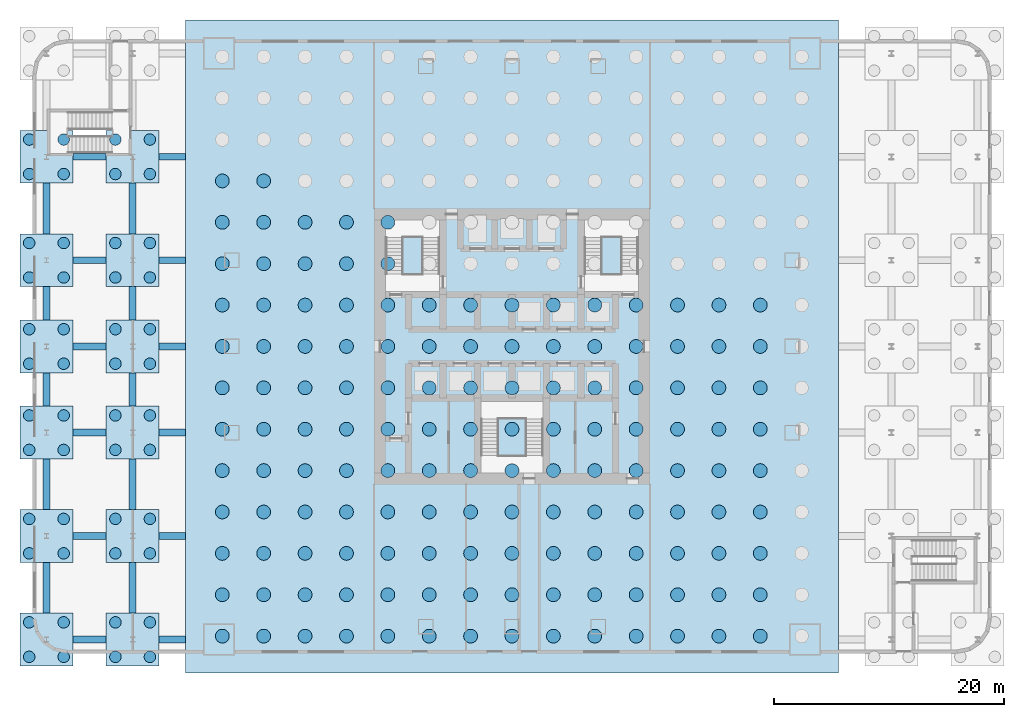
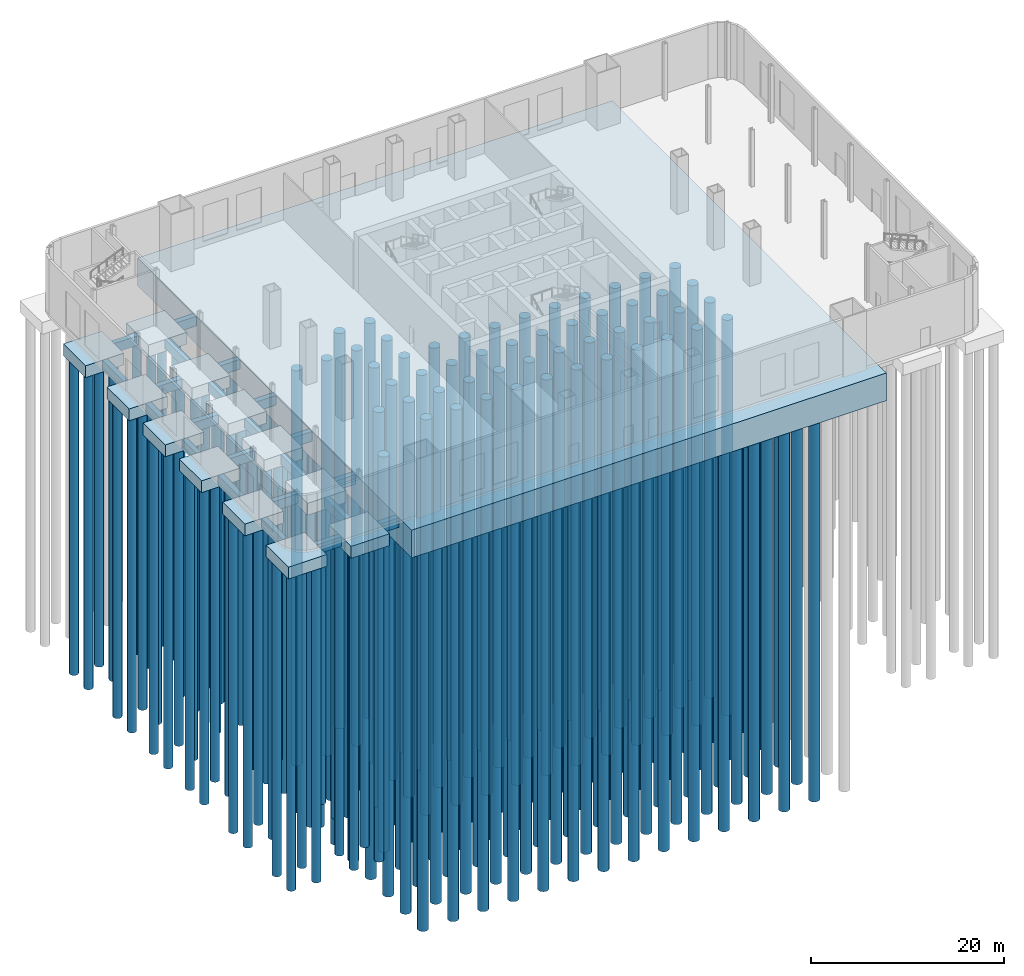
# One storey, part 1 of 10: 186 piles, 35 footings.
"""IFC4 building model written with IfcOpenShell, lengths in metres."""

from ifc_helpers import new_model, si_unit, direction, frame, origin, origin_2d, place, context, subcontext, project, spatial, polyline, rectangle, circle, outline, extrude, material, layer, layer_set, material_profile, profile_set, type_object, element, save


model = new_model("IFC4")

# Units and contexts
model_context = context("Model", 3, precision=1e-05, world=origin(), true_north=direction((0.0, 1.0)))
body_context = subcontext(model_context, "Body", "Model", "MODEL_VIEW")
ifc_project = project(units=[si_unit("LENGTHUNIT", "METRE"), si_unit("AREAUNIT", "SQUARE_METRE"), si_unit("VOLUMEUNIT", "CUBIC_METRE"), si_unit("PLANEANGLEUNIT", "RADIAN"), si_unit("MASSUNIT", "GRAM", prefix="KILO")], contexts=[model_context])

# Site, building, storey
site_placement = place(None, origin())
site = spatial("IfcSite", under=ifc_project, at=site_placement, CompositionType="ELEMENT")
building_placement = place(site_placement, origin())
building = spatial("IfcBuilding", under=site, at=building_placement, Name="Tarangal Relay Tower", CompositionType="ELEMENT")
storey_placement = place(building_placement, origin())
storey = spatial("IfcBuildingStorey", under=building, at=storey_placement, Name="L00", CompositionType="ELEMENT", Elevation=0.0)

# Piles
ifc_material = material(Name="Concrete fc' 40 MPa", Category="concrete")
ifc_material_profile_1 = material_profile(ifc_material, circle(Radius=0.5, at=origin_2d()), Name="D1000")
ifc_profile_set_1 = profile_set([ifc_material_profile_1], Name="Concrete fc' 40 MPa")
pile_type_1 = type_object("IfcPileType", Name="Bored pile 1000", PredefinedType="BORED", material=ifc_profile_set_1)
for number, where, z_axis, x_axis, name in (
    (1, (-34.5, -27.0, -1.699951171875), (0.0, 0.0, -1.0), (1.0, 0.0, 0.0), "Bored pile P2 under cap -33.0 -25.5"),
    (2, (-34.5, -24.0, -1.699951171875), (0.0, 0.0, -1.0), (1.0, 0.0, 0.0), "Bored pile P2 under cap -33.0 -25.5"),
    (3, (-31.5, -27.0, -1.699951171875), (0.0, 0.0, -1.0), (1.0, 0.0, 0.0), "Bored pile P2 under cap -33.0 -25.5"),
    (4, (-31.5, -24.0, -1.699951171875), (0.0, 0.0, -1.0), (1.0, 0.0, 0.0), "Bored pile P2 under cap -33.0 -25.5"),
    (5, (-34.5, -18.0, -1.699951171875), (0.0, 0.0, -1.0), (1.0, 0.0, 0.0), "Bored pile P2 under cap -33.0 -16.5"),
    (6, (-34.5, -15.0, -1.699951171875), (0.0, 0.0, -1.0), (1.0, 0.0, 0.0), "Bored pile P2 under cap -33.0 -16.5"),
    (7, (-31.5, -18.0, -1.699951171875), (0.0, 0.0, -1.0), (1.0, 0.0, 0.0), "Bored pile P2 under cap -33.0 -16.5"),
    (8, (-31.5, -15.0, -1.699951171875), (0.0, 0.0, -1.0), (1.0, 0.0, 0.0), "Bored pile P2 under cap -33.0 -16.5"),
    (9, (-34.5, -9.0, -1.699951171875), (0.0, 0.0, -1.0), (1.0, 0.0, 0.0), "Bored pile P2 under cap -33.0 -7.5"),
    (10, (-34.5, -6.0, -1.699951171875), (0.0, 0.0, -1.0), (1.0, 0.0, 0.0), "Bored pile P2 under cap -33.0 -7.5"),
    (11, (-31.5, -9.0, -1.699951171875), (0.0, 0.0, -1.0), (1.0, 0.0, 0.0), "Bored pile P2 under cap -33.0 -7.5"),
    (12, (-31.5, -6.0, -1.699951171875), (0.0, 0.0, -1.0), (1.0, 0.0, 0.0), "Bored pile P2 under cap -33.0 -7.5"),
    (13, (-34.5, -1.5, -1.699951171875), (0.0, 0.0, -1.0), (1.0, 0.0, 0.0), "Bored pile P2 under cap -33.0 +0.0"),
    (14, (-34.5, 1.5, -1.699951171875), (0.0, 0.0, -1.0), (1.0, 0.0, 0.0), "Bored pile P2 under cap -33.0 +0.0"),
    (15, (-31.5, -1.5, -1.699951171875), (0.0, 0.0, -1.0), (1.0, 0.0, 0.0), "Bored pile P2 under cap -33.0 +0.0"),
    (16, (-31.5, 1.5, -1.699951171875), (0.0, 0.0, -1.0), (1.0, 0.0, 0.0), "Bored pile P2 under cap -33.0 +0.0"),
    (17, (-34.5, 6.0, -1.699951171875), (0.0, 0.0, -1.0), (1.0, 0.0, 0.0), "Bored pile P2 under cap -33.0 +7.5"),
    (18, (-34.5, 9.0, -1.699951171875), (0.0, 0.0, -1.0), (1.0, 0.0, 0.0), "Bored pile P2 under cap -33.0 +7.5"),
    (19, (-31.5, 6.0, -1.699951171875), (0.0, 0.0, -1.0), (1.0, 0.0, 0.0), "Bored pile P2 under cap -33.0 +7.5"),
    (20, (-31.5, 9.0, -1.699951171875), (0.0, 0.0, -1.0), (1.0, 0.0, 0.0), "Bored pile P2 under cap -33.0 +7.5"),
    (21, (-34.5, 15.0, -1.699951171875), (0.0, 0.0, -1.0), (1.0, 0.0, 0.0), "Bored pile P2 under cap -33.0 +16.5"),
    (22, (-34.5, 18.0, -1.699951171875), (0.0, 0.0, -1.0), (1.0, 0.0, 0.0), "Bored pile P2 under cap -33.0 +16.5"),
    (23, (-31.5, 15.0, -1.699951171875), (0.0, 0.0, -1.0), (1.0, 0.0, 0.0), "Bored pile P2 under cap -33.0 +16.5"),
    (24, (-31.5, 18.0, -1.699951171875), (0.0, 0.0, -1.0), (1.0, 0.0, 0.0), "Bored pile P2 under cap -33.0 +16.5"),
    (25, (-42.0, -27.0, -1.699951171875), (0.0, 0.0, -1.0), (1.0, 0.0, 0.0), "Bored pile P2 under cap -40.5 -25.5"),
    (26, (-42.0, -24.0, -1.699951171875), (0.0, 0.0, -1.0), (1.0, 0.0, 0.0), "Bored pile P2 under cap -40.5 -25.5"),
    (27, (-39.0, -27.0, -1.699951171875), (0.0, 0.0, -1.0), (1.0, 0.0, 0.0), "Bored pile P2 under cap -40.5 -25.5"),
    (28, (-39.0, -24.0, -1.699951171875), (0.0, 0.0, -1.0), (1.0, 0.0, 0.0), "Bored pile P2 under cap -40.5 -25.5"),
    (29, (-42.0, -18.0, -1.699951171875), (0.0, 0.0, -1.0), (1.0, 0.0, 0.0), "Bored pile P2 under cap -40.5 -16.5"),
    (30, (-42.0, -15.0, -1.699951171875), (0.0, 0.0, -1.0), (1.0, 0.0, 0.0), "Bored pile P2 under cap -40.5 -16.5"),
    (31, (-39.0, -18.0, -1.699951171875), (0.0, 0.0, -1.0), (1.0, 0.0, 0.0), "Bored pile P2 under cap -40.5 -16.5"),
    (32, (-39.0, -15.0, -1.699951171875), (0.0, 0.0, -1.0), (1.0, 0.0, 0.0), "Bored pile P2 under cap -40.5 -16.5"),
    (33, (-42.0, -9.0, -1.699951171875), (0.0, 0.0, -1.0), (1.0, 0.0, 0.0), "Bored pile P2 under cap -40.5 -7.5"),
    (34, (-42.0, -6.0, -1.699951171875), (0.0, 0.0, -1.0), (1.0, 0.0, 0.0), "Bored pile P2 under cap -40.5 -7.5"),
    (35, (-39.0, -9.0, -1.699951171875), (0.0, 0.0, -1.0), (1.0, 0.0, 0.0), "Bored pile P2 under cap -40.5 -7.5"),
    (36, (-39.0, -6.0, -1.699951171875), (0.0, 0.0, -1.0), (1.0, 0.0, 0.0), "Bored pile P2 under cap -40.5 -7.5"),
    (37, (-42.0, -1.5, -1.699951171875), (0.0, 0.0, -1.0), (1.0, 0.0, 0.0), "Bored pile P2 under cap -40.5 +0.0"),
    (38, (-42.0, 1.5, -1.699951171875), (0.0, 0.0, -1.0), (1.0, 0.0, 0.0), "Bored pile P2 under cap -40.5 +0.0"),
    (39, (-39.0, -1.5, -1.699951171875), (0.0, 0.0, -1.0), (1.0, 0.0, 0.0), "Bored pile P2 under cap -40.5 +0.0"),
    (40, (-39.0, 1.5, -1.699951171875), (0.0, 0.0, -1.0), (1.0, 0.0, 0.0), "Bored pile P2 under cap -40.5 +0.0"),
    (41, (-42.0, 6.0, -1.699951171875), (0.0, 0.0, -1.0), (1.0, 0.0, 0.0), "Bored pile P2 under cap -40.5 +7.5"),
    (42, (-42.0, 9.0, -1.699951171875), (0.0, 0.0, -1.0), (1.0, 0.0, 0.0), "Bored pile P2 under cap -40.5 +7.5"),
    (43, (-39.0, 6.0, -1.699951171875), (0.0, 0.0, -1.0), (1.0, 0.0, 0.0), "Bored pile P2 under cap -40.5 +7.5"),
    (44, (-39.0, 9.0, -1.699951171875), (0.0, 0.0, -1.0), (1.0, 0.0, 0.0), "Bored pile P2 under cap -40.5 +7.5"),
    (45, (-42.0, 15.0, -1.699951171875), (0.0, 0.0, -1.0), (1.0, 0.0, 0.0), "Bored pile P2 under cap -40.5 +16.5"),
    (46, (-42.0, 18.0, -1.699951171875), (0.0, 0.0, -1.0), (1.0, 0.0, 0.0), "Bored pile P2 under cap -40.5 +16.5"),
    (47, (-39.0, 15.0, -1.699951171875), (0.0, 0.0, -1.0), (1.0, 0.0, 0.0), "Bored pile P2 under cap -40.5 +16.5"),
    (48, (-39.0, 18.0, -1.699951171875), (0.0, 0.0, -1.0), (1.0, 0.0, 0.0), "Bored pile P2 under cap -40.5 +16.5"),
):
    element("IfcPile", number, at=place(storey_placement, frame(where, z_axis=z_axis, x_axis=x_axis)), inside=storey, type_object=pile_type_1, Name=name, PredefinedType="BORED", context=body_context, shape_type="SweptSolid", body=[
        extrude(circle(Radius=0.5, at=origin_2d()), origin(), (0.0, 0.0, 1.0), 40.0),
    ])
ifc_material_profile_2 = material_profile(ifc_material, circle(Radius=0.60009765625, at=origin_2d()), Name="D1200")
ifc_profile_set_2 = profile_set([ifc_material_profile_2], Name="Concrete fc' 40 MPa")
pile_type_2 = type_object("IfcPileType", Name="Bored pile 1200", PredefinedType="BORED", material=ifc_profile_set_2)
for number, where, z_axis, x_axis, name in (
    (49, (-25.199951171875, -25.199951171875, -3.699951171875), (0.0, 0.0, -1.0), (1.0, 0.0, 0.0), "Bored pile P1 01-01"),
    (50, (-25.199951171875, -21.60009765625, -3.699951171875), (0.0, 0.0, -1.0), (1.0, 0.0, 0.0), "Bored pile P1 01-02"),
    (51, (-25.199951171875, -18.0, -3.699951171875), (0.0, 0.0, -1.0), (1.0, 0.0, 0.0), "Bored pile P1 01-03"),
    (52, (-25.199951171875, -14.39990234375, -3.699951171875), (0.0, 0.0, -1.0), (1.0, 0.0, 0.0), "Bored pile P1 01-04"),
    (53, (-25.199951171875, -10.800048828125, -3.699951171875), (0.0, 0.0, -1.0), (1.0, 0.0, 0.0), "Bored pile P1 01-05"),
    (54, (-25.199951171875, -7.199951171875, -3.699951171875), (0.0, 0.0, -1.0), (1.0, 0.0, 0.0), "Bored pile P1 01-06"),
    (55, (-25.199951171875, -3.60009765625, -3.699951171875), (0.0, 0.0, -1.0), (1.0, 0.0, 0.0), "Bored pile P1 01-07"),
    (56, (-25.199951171875, 0.0, -3.699951171875), (0.0, 0.0, -1.0), (1.0, 0.0, 0.0), "Bored pile P1 01-08"),
    (57, (-25.199951171875, 3.60009765625, -3.699951171875), (0.0, 0.0, -1.0), (1.0, 0.0, 0.0), "Bored pile P1 01-09"),
    (58, (-25.199951171875, 7.199951171875, -3.699951171875), (0.0, 0.0, -1.0), (1.0, 0.0, 0.0), "Bored pile P1 01-10"),
    (59, (-25.199951171875, 10.800048828125, -3.699951171875), (0.0, 0.0, -1.0), (1.0, 0.0, 0.0), "Bored pile P1 01-11"),
    (60, (-25.199951171875, 14.39990234375, -3.699951171875), (0.0, 0.0, -1.0), (1.0, 0.0, 0.0), "Bored pile P1 01-12"),
    (61, (-21.60009765625, -25.199951171875, -3.699951171875), (0.0, 0.0, -1.0), (1.0, 0.0, 0.0), "Bored pile P1 02-01"),
    (62, (-21.60009765625, -21.60009765625, -3.699951171875), (0.0, 0.0, -1.0), (1.0, 0.0, 0.0), "Bored pile P1 02-02"),
    (63, (-21.60009765625, -18.0, -3.699951171875), (0.0, 0.0, -1.0), (1.0, 0.0, 0.0), "Bored pile P1 02-03"),
    (64, (-21.60009765625, -14.39990234375, -3.699951171875), (0.0, 0.0, -1.0), (1.0, 0.0, 0.0), "Bored pile P1 02-04"),
    (65, (-21.60009765625, -10.800048828125, -3.699951171875), (0.0, 0.0, -1.0), (1.0, 0.0, 0.0), "Bored pile P1 02-05"),
    (66, (-21.60009765625, -7.199951171875, -3.699951171875), (0.0, 0.0, -1.0), (1.0, 0.0, 0.0), "Bored pile P1 02-06"),
    (67, (-21.60009765625, -3.60009765625, -3.699951171875), (0.0, 0.0, -1.0), (1.0, 0.0, 0.0), "Bored pile P1 02-07"),
    (68, (-21.60009765625, 0.0, -3.699951171875), (0.0, 0.0, -1.0), (1.0, 0.0, 0.0), "Bored pile P1 02-08"),
    (69, (-21.60009765625, 3.60009765625, -3.699951171875), (0.0, 0.0, -1.0), (1.0, 0.0, 0.0), "Bored pile P1 02-09"),
    (70, (-21.60009765625, 7.199951171875, -3.699951171875), (0.0, 0.0, -1.0), (1.0, 0.0, 0.0), "Bored pile P1 02-10"),
    (71, (-21.60009765625, 10.800048828125, -3.699951171875), (0.0, 0.0, -1.0), (1.0, 0.0, 0.0), "Bored pile P1 02-11"),
    (72, (-21.60009765625, 14.39990234375, -3.699951171875), (0.0, 0.0, -1.0), (1.0, 0.0, 0.0), "Bored pile P1 02-12"),
    (73, (-18.0, -25.199951171875, -3.699951171875), (0.0, 0.0, -1.0), (1.0, 0.0, 0.0), "Bored pile P1 03-01"),
    (74, (-18.0, -21.60009765625, -3.699951171875), (0.0, 0.0, -1.0), (1.0, 0.0, 0.0), "Bored pile P1 03-02"),
    (75, (-18.0, -18.0, -3.699951171875), (0.0, 0.0, -1.0), (1.0, 0.0, 0.0), "Bored pile P1 03-03"),
    (76, (-18.0, -14.39990234375, -3.699951171875), (0.0, 0.0, -1.0), (1.0, 0.0, 0.0), "Bored pile P1 03-04"),
    (77, (-18.0, -10.800048828125, -3.699951171875), (0.0, 0.0, -1.0), (1.0, 0.0, 0.0), "Bored pile P1 03-05"),
    (78, (-18.0, -7.199951171875, -3.699951171875), (0.0, 0.0, -1.0), (1.0, 0.0, 0.0), "Bored pile P1 03-06"),
    (79, (-18.0, -3.60009765625, -3.699951171875), (0.0, 0.0, -1.0), (1.0, 0.0, 0.0), "Bored pile P1 03-07"),
    (80, (-18.0, 0.0, -3.699951171875), (0.0, 0.0, -1.0), (1.0, 0.0, 0.0), "Bored pile P1 03-08"),
    (81, (-18.0, 3.60009765625, -3.699951171875), (0.0, 0.0, -1.0), (1.0, 0.0, 0.0), "Bored pile P1 03-09"),
    (82, (-18.0, 7.199951171875, -3.699951171875), (0.0, 0.0, -1.0), (1.0, 0.0, 0.0), "Bored pile P1 03-10"),
    (83, (-18.0, 10.800048828125, -3.699951171875), (0.0, 0.0, -1.0), (1.0, 0.0, 0.0), "Bored pile P1 03-11"),
    (84, (-14.39990234375, -25.199951171875, -3.699951171875), (0.0, 0.0, -1.0), (1.0, 0.0, 0.0), "Bored pile P1 04-01"),
    (85, (-14.39990234375, -21.60009765625, -3.699951171875), (0.0, 0.0, -1.0), (1.0, 0.0, 0.0), "Bored pile P1 04-02"),
    (86, (-14.39990234375, -18.0, -3.699951171875), (0.0, 0.0, -1.0), (1.0, 0.0, 0.0), "Bored pile P1 04-03"),
    (87, (-14.39990234375, -14.39990234375, -3.699951171875), (0.0, 0.0, -1.0), (1.0, 0.0, 0.0), "Bored pile P1 04-04"),
    (88, (-14.39990234375, -10.800048828125, -3.699951171875), (0.0, 0.0, -1.0), (1.0, 0.0, 0.0), "Bored pile P1 04-05"),
    (89, (-14.39990234375, -7.199951171875, -3.699951171875), (0.0, 0.0, -1.0), (1.0, 0.0, 0.0), "Bored pile P1 04-06"),
    (90, (-14.39990234375, -3.60009765625, -3.699951171875), (0.0, 0.0, -1.0), (1.0, 0.0, 0.0), "Bored pile P1 04-07"),
    (91, (-14.39990234375, 0.0, -3.699951171875), (0.0, 0.0, -1.0), (1.0, 0.0, 0.0), "Bored pile P1 04-08"),
    (92, (-14.39990234375, 3.60009765625, -3.699951171875), (0.0, 0.0, -1.0), (1.0, 0.0, 0.0), "Bored pile P1 04-09"),
    (93, (-14.39990234375, 7.199951171875, -3.699951171875), (0.0, 0.0, -1.0), (1.0, 0.0, 0.0), "Bored pile P1 04-10"),
    (94, (-14.39990234375, 10.800048828125, -3.699951171875), (0.0, 0.0, -1.0), (1.0, 0.0, 0.0), "Bored pile P1 04-11"),
    (95, (-10.800048828125, -25.199951171875, -3.699951171875), (0.0, 0.0, -1.0), (1.0, 0.0, 0.0), "Bored pile P1 05-01"),
    (96, (-10.800048828125, -21.60009765625, -3.699951171875), (0.0, 0.0, -1.0), (1.0, 0.0, 0.0), "Bored pile P1 05-02"),
    (97, (-10.800048828125, -18.0, -3.699951171875), (0.0, 0.0, -1.0), (1.0, 0.0, 0.0), "Bored pile P1 05-03"),
    (98, (-10.800048828125, -14.39990234375, -3.699951171875), (0.0, 0.0, -1.0), (1.0, 0.0, 0.0), "Bored pile P1 05-04"),
    (99, (-10.800048828125, -10.800048828125, -3.699951171875), (0.0, 0.0, -1.0), (1.0, 0.0, 0.0), "Bored pile P1 05-05"),
    (100, (-10.800048828125, -7.199951171875, -3.699951171875), (0.0, 0.0, -1.0), (1.0, 0.0, 0.0), "Bored pile P1 05-06"),
    (101, (-10.800048828125, -3.60009765625, -3.699951171875), (0.0, 0.0, -1.0), (1.0, 0.0, 0.0), "Bored pile P1 05-07"),
    (102, (-10.800048828125, 0.0, -3.699951171875), (0.0, 0.0, -1.0), (1.0, 0.0, 0.0), "Bored pile P1 05-08"),
    (103, (-10.800048828125, 3.60009765625, -3.699951171875), (0.0, 0.0, -1.0), (1.0, 0.0, 0.0), "Bored pile P1 05-09"),
    (104, (-10.800048828125, 7.199951171875, -3.699951171875), (0.0, 0.0, -1.0), (1.0, 0.0, 0.0), "Bored pile P1 05-10"),
    (105, (-10.800048828125, 10.800048828125, -3.699951171875), (0.0, 0.0, -1.0), (1.0, 0.0, 0.0), "Bored pile P1 05-11"),
    (106, (-7.199951171875, -25.199951171875, -3.699951171875), (0.0, 0.0, -1.0), (1.0, 0.0, 0.0), "Bored pile P1 06-01"),
    (107, (-7.199951171875, -21.60009765625, -3.699951171875), (0.0, 0.0, -1.0), (1.0, 0.0, 0.0), "Bored pile P1 06-02"),
    (108, (-7.199951171875, -18.0, -3.699951171875), (0.0, 0.0, -1.0), (1.0, 0.0, 0.0), "Bored pile P1 06-03"),
    (109, (-7.199951171875, -14.39990234375, -3.699951171875), (0.0, 0.0, -1.0), (1.0, 0.0, 0.0), "Bored pile P1 06-04"),
    (110, (-7.199951171875, -10.800048828125, -3.699951171875), (0.0, 0.0, -1.0), (1.0, 0.0, 0.0), "Bored pile P1 06-05"),
    (111, (-7.199951171875, -7.199951171875, -3.699951171875), (0.0, 0.0, -1.0), (1.0, 0.0, 0.0), "Bored pile P1 06-06"),
    (112, (-7.199951171875, -3.60009765625, -3.699951171875), (0.0, 0.0, -1.0), (1.0, 0.0, 0.0), "Bored pile P1 06-07"),
    (113, (-7.199951171875, 0.0, -3.699951171875), (0.0, 0.0, -1.0), (1.0, 0.0, 0.0), "Bored pile P1 06-08"),
    (114, (-7.199951171875, 3.60009765625, -3.699951171875), (0.0, 0.0, -1.0), (1.0, 0.0, 0.0), "Bored pile P1 06-09"),
    (115, (-3.60009765625, -25.199951171875, -3.699951171875), (0.0, 0.0, -1.0), (1.0, 0.0, 0.0), "Bored pile P1 07-01"),
    (116, (-3.60009765625, -21.60009765625, -3.699951171875), (0.0, 0.0, -1.0), (1.0, 0.0, 0.0), "Bored pile P1 07-02"),
    (117, (-3.60009765625, -18.0, -3.699951171875), (0.0, 0.0, -1.0), (1.0, 0.0, 0.0), "Bored pile P1 07-03"),
    (118, (-3.60009765625, -14.39990234375, -3.699951171875), (0.0, 0.0, -1.0), (1.0, 0.0, 0.0), "Bored pile P1 07-04"),
    (119, (-3.60009765625, -10.800048828125, -3.699951171875), (0.0, 0.0, -1.0), (1.0, 0.0, 0.0), "Bored pile P1 07-05"),
    (120, (-3.60009765625, -7.199951171875, -3.699951171875), (0.0, 0.0, -1.0), (1.0, 0.0, 0.0), "Bored pile P1 07-06"),
    (121, (-3.60009765625, -3.60009765625, -3.699951171875), (0.0, 0.0, -1.0), (1.0, 0.0, 0.0), "Bored pile P1 07-07"),
    (122, (-3.60009765625, 0.0, -3.699951171875), (0.0, 0.0, -1.0), (1.0, 0.0, 0.0), "Bored pile P1 07-08"),
    (123, (-3.60009765625, 3.60009765625, -3.699951171875), (0.0, 0.0, -1.0), (1.0, 0.0, 0.0), "Bored pile P1 07-09"),
    (124, (0.0, -25.199951171875, -3.699951171875), (0.0, 0.0, -1.0), (1.0, 0.0, 0.0), "Bored pile P1 08-01"),
    (125, (0.0, -21.60009765625, -3.699951171875), (0.0, 0.0, -1.0), (1.0, 0.0, 0.0), "Bored pile P1 08-02"),
    (126, (0.0, -18.0, -3.699951171875), (0.0, 0.0, -1.0), (1.0, 0.0, 0.0), "Bored pile P1 08-03"),
    (127, (0.0, -14.39990234375, -3.699951171875), (0.0, 0.0, -1.0), (1.0, 0.0, 0.0), "Bored pile P1 08-04"),
    (128, (0.0, -10.800048828125, -3.699951171875), (0.0, 0.0, -1.0), (1.0, 0.0, 0.0), "Bored pile P1 08-05"),
    (129, (0.0, -7.199951171875, -3.699951171875), (0.0, 0.0, -1.0), (1.0, 0.0, 0.0), "Bored pile P1 08-06"),
    (130, (0.0, -3.60009765625, -3.699951171875), (0.0, 0.0, -1.0), (1.0, 0.0, 0.0), "Bored pile P1 08-07"),
    (131, (0.0, 0.0, -3.699951171875), (0.0, 0.0, -1.0), (1.0, 0.0, 0.0), "Bored pile P1 08-08"),
    (132, (0.0, 3.60009765625, -3.699951171875), (0.0, 0.0, -1.0), (1.0, 0.0, 0.0), "Bored pile P1 08-09"),
    (133, (3.60009765625, -25.199951171875, -3.699951171875), (0.0, 0.0, -1.0), (1.0, 0.0, 0.0), "Bored pile P1 09-01"),
    (134, (3.60009765625, -21.60009765625, -3.699951171875), (0.0, 0.0, -1.0), (1.0, 0.0, 0.0), "Bored pile P1 09-02"),
    (135, (3.60009765625, -18.0, -3.699951171875), (0.0, 0.0, -1.0), (1.0, 0.0, 0.0), "Bored pile P1 09-03"),
    (136, (3.60009765625, -14.39990234375, -3.699951171875), (0.0, 0.0, -1.0), (1.0, 0.0, 0.0), "Bored pile P1 09-04"),
    (137, (3.60009765625, -10.800048828125, -3.699951171875), (0.0, 0.0, -1.0), (1.0, 0.0, 0.0), "Bored pile P1 09-05"),
    (138, (3.60009765625, -7.199951171875, -3.699951171875), (0.0, 0.0, -1.0), (1.0, 0.0, 0.0), "Bored pile P1 09-06"),
    (139, (3.60009765625, -3.60009765625, -3.699951171875), (0.0, 0.0, -1.0), (1.0, 0.0, 0.0), "Bored pile P1 09-07"),
    (140, (3.60009765625, 0.0, -3.699951171875), (0.0, 0.0, -1.0), (1.0, 0.0, 0.0), "Bored pile P1 09-08"),
    (141, (3.60009765625, 3.60009765625, -3.699951171875), (0.0, 0.0, -1.0), (1.0, 0.0, 0.0), "Bored pile P1 09-09"),
    (142, (7.199951171875, -25.199951171875, -3.699951171875), (0.0, 0.0, -1.0), (1.0, 0.0, 0.0), "Bored pile P1 10-01"),
    (143, (7.199951171875, -21.60009765625, -3.699951171875), (0.0, 0.0, -1.0), (1.0, 0.0, 0.0), "Bored pile P1 10-02"),
    (144, (7.199951171875, -18.0, -3.699951171875), (0.0, 0.0, -1.0), (1.0, 0.0, 0.0), "Bored pile P1 10-03"),
    (145, (7.199951171875, -14.39990234375, -3.699951171875), (0.0, 0.0, -1.0), (1.0, 0.0, 0.0), "Bored pile P1 10-04"),
    (146, (7.199951171875, -10.800048828125, -3.699951171875), (0.0, 0.0, -1.0), (1.0, 0.0, 0.0), "Bored pile P1 10-05"),
    (147, (7.199951171875, -7.199951171875, -3.699951171875), (0.0, 0.0, -1.0), (1.0, 0.0, 0.0), "Bored pile P1 10-06"),
    (148, (7.199951171875, -3.60009765625, -3.699951171875), (0.0, 0.0, -1.0), (1.0, 0.0, 0.0), "Bored pile P1 10-07"),
    (149, (7.199951171875, 0.0, -3.699951171875), (0.0, 0.0, -1.0), (1.0, 0.0, 0.0), "Bored pile P1 10-08"),
    (150, (7.199951171875, 3.60009765625, -3.699951171875), (0.0, 0.0, -1.0), (1.0, 0.0, 0.0), "Bored pile P1 10-09"),
    (151, (10.800048828125, -25.199951171875, -3.699951171875), (0.0, 0.0, -1.0), (1.0, 0.0, 0.0), "Bored pile P1 11-01"),
    (152, (10.800048828125, -21.60009765625, -3.699951171875), (0.0, 0.0, -1.0), (1.0, 0.0, 0.0), "Bored pile P1 11-02"),
    (153, (10.800048828125, -18.0, -3.699951171875), (0.0, 0.0, -1.0), (1.0, 0.0, 0.0), "Bored pile P1 11-03"),
    (154, (10.800048828125, -14.39990234375, -3.699951171875), (0.0, 0.0, -1.0), (1.0, 0.0, 0.0), "Bored pile P1 11-04"),
    (155, (10.800048828125, -10.800048828125, -3.699951171875), (0.0, 0.0, -1.0), (1.0, 0.0, 0.0), "Bored pile P1 11-05"),
    (156, (10.800048828125, -7.199951171875, -3.699951171875), (0.0, 0.0, -1.0), (1.0, 0.0, 0.0), "Bored pile P1 11-06"),
    (157, (10.800048828125, -3.60009765625, -3.699951171875), (0.0, 0.0, -1.0), (1.0, 0.0, 0.0), "Bored pile P1 11-07"),
    (158, (10.800048828125, 0.0, -3.699951171875), (0.0, 0.0, -1.0), (1.0, 0.0, 0.0), "Bored pile P1 11-08"),
    (159, (10.800048828125, 3.60009765625, -3.699951171875), (0.0, 0.0, -1.0), (1.0, 0.0, 0.0), "Bored pile P1 11-09"),
    (160, (14.39990234375, -25.199951171875, -3.699951171875), (0.0, 0.0, -1.0), (1.0, 0.0, 0.0), "Bored pile P1 12-01"),
    (161, (14.39990234375, -21.60009765625, -3.699951171875), (0.0, 0.0, -1.0), (1.0, 0.0, 0.0), "Bored pile P1 12-02"),
    (162, (14.39990234375, -18.0, -3.699951171875), (0.0, 0.0, -1.0), (1.0, 0.0, 0.0), "Bored pile P1 12-03"),
    (163, (14.39990234375, -14.39990234375, -3.699951171875), (0.0, 0.0, -1.0), (1.0, 0.0, 0.0), "Bored pile P1 12-04"),
    (164, (14.39990234375, -10.800048828125, -3.699951171875), (0.0, 0.0, -1.0), (1.0, 0.0, 0.0), "Bored pile P1 12-05"),
    (165, (14.39990234375, -7.199951171875, -3.699951171875), (0.0, 0.0, -1.0), (1.0, 0.0, 0.0), "Bored pile P1 12-06"),
    (166, (14.39990234375, -3.60009765625, -3.699951171875), (0.0, 0.0, -1.0), (1.0, 0.0, 0.0), "Bored pile P1 12-07"),
    (167, (14.39990234375, 0.0, -3.699951171875), (0.0, 0.0, -1.0), (1.0, 0.0, 0.0), "Bored pile P1 12-08"),
    (168, (14.39990234375, 3.60009765625, -3.699951171875), (0.0, 0.0, -1.0), (1.0, 0.0, 0.0), "Bored pile P1 12-09"),
    (169, (18.0, -25.199951171875, -3.699951171875), (0.0, 0.0, -1.0), (1.0, 0.0, 0.0), "Bored pile P1 13-01"),
    (170, (18.0, -21.60009765625, -3.699951171875), (0.0, 0.0, -1.0), (1.0, 0.0, 0.0), "Bored pile P1 13-02"),
    (171, (18.0, -18.0, -3.699951171875), (0.0, 0.0, -1.0), (1.0, 0.0, 0.0), "Bored pile P1 13-03"),
    (172, (18.0, -14.39990234375, -3.699951171875), (0.0, 0.0, -1.0), (1.0, 0.0, 0.0), "Bored pile P1 13-04"),
    (173, (18.0, -10.800048828125, -3.699951171875), (0.0, 0.0, -1.0), (1.0, 0.0, 0.0), "Bored pile P1 13-05"),
    (174, (18.0, -7.199951171875, -3.699951171875), (0.0, 0.0, -1.0), (1.0, 0.0, 0.0), "Bored pile P1 13-06"),
    (175, (18.0, -3.60009765625, -3.699951171875), (0.0, 0.0, -1.0), (1.0, 0.0, 0.0), "Bored pile P1 13-07"),
    (176, (18.0, 0.0, -3.699951171875), (0.0, 0.0, -1.0), (1.0, 0.0, 0.0), "Bored pile P1 13-08"),
    (177, (18.0, 3.60009765625, -3.699951171875), (0.0, 0.0, -1.0), (1.0, 0.0, 0.0), "Bored pile P1 13-09"),
    (178, (21.60009765625, -25.199951171875, -3.699951171875), (0.0, 0.0, -1.0), (1.0, 0.0, 0.0), "Bored pile P1 14-01"),
    (179, (21.60009765625, -21.60009765625, -3.699951171875), (0.0, 0.0, -1.0), (1.0, 0.0, 0.0), "Bored pile P1 14-02"),
    (180, (21.60009765625, -18.0, -3.699951171875), (0.0, 0.0, -1.0), (1.0, 0.0, 0.0), "Bored pile P1 14-03"),
    (181, (21.60009765625, -14.39990234375, -3.699951171875), (0.0, 0.0, -1.0), (1.0, 0.0, 0.0), "Bored pile P1 14-04"),
    (182, (21.60009765625, -10.800048828125, -3.699951171875), (0.0, 0.0, -1.0), (1.0, 0.0, 0.0), "Bored pile P1 14-05"),
    (183, (21.60009765625, -7.199951171875, -3.699951171875), (0.0, 0.0, -1.0), (1.0, 0.0, 0.0), "Bored pile P1 14-06"),
    (184, (21.60009765625, -3.60009765625, -3.699951171875), (0.0, 0.0, -1.0), (1.0, 0.0, 0.0), "Bored pile P1 14-07"),
    (185, (21.60009765625, 0.0, -3.699951171875), (0.0, 0.0, -1.0), (1.0, 0.0, 0.0), "Bored pile P1 14-08"),
    (186, (21.60009765625, 3.60009765625, -3.699951171875), (0.0, 0.0, -1.0), (1.0, 0.0, 0.0), "Bored pile P1 14-09"),
):
    element("IfcPile", number, at=place(storey_placement, frame(where, z_axis=z_axis, x_axis=x_axis)), inside=storey, type_object=pile_type_2, Name=name, PredefinedType="BORED", context=body_context, shape_type="SweptSolid", body=[
        extrude(circle(Radius=0.60009765625, at=origin_2d()), origin(), (0.0, 0.0, 1.0), 50.0),
    ])

# Footings
ifc_material_profile_3 = material_profile(ifc_material, rectangle(XDim=0.60009765625, YDim=1.199951171875, at=origin_2d()), Name="GB 600X1200")
ifc_profile_set_3 = profile_set([ifc_material_profile_3], Name="Concrete fc' 40 MPa")
footing_type_1 = type_object("IfcFootingType", Name="Ground beam 600 x 1200", PredefinedType="FOOTING_BEAM", material=ifc_profile_set_3)
for number, where, z_axis, x_axis, name in (
    (187, (-35.300048828125, -25.5, -0.89990234375), (-1.0, 0.0, 0.0), (0.0, -1.0, 0.0), "Ground beam GB1 grid -25.5"),
    (188, (-35.300048828125, -16.5, -0.89990234375), (-1.0, 0.0, 0.0), (0.0, -1.0, 0.0), "Ground beam GB1 grid -16.5"),
    (189, (-35.300048828125, -7.5, -0.89990234375), (-1.0, 0.0, 0.0), (0.0, -1.0, 0.0), "Ground beam GB1 grid -7.5"),
    (190, (-35.300048828125, 0.0, -0.89990234375), (-1.0, 0.0, 0.0), (0.0, -1.0, 0.0), "Ground beam GB1 grid +0.0"),
    (191, (-35.300048828125, 7.5, -0.89990234375), (-1.0, 0.0, 0.0), (0.0, -1.0, 0.0), "Ground beam GB1 grid +7.5"),
    (192, (-35.300048828125, 16.5, -0.89990234375), (-1.0, 0.0, 0.0), (0.0, -1.0, 0.0), "Ground beam GB1 grid +16.5"),
):
    element("IfcFooting", number, at=place(storey_placement, frame(where, z_axis=z_axis, x_axis=x_axis)), inside=storey, type_object=footing_type_1, Name=name, PredefinedType="FOOTING_BEAM", context=body_context, shape_type="SweptSolid", body=[
        extrude(rectangle(XDim=0.60009765625, YDim=1.199951171875, at=origin_2d()), origin(), (0.0, 0.0, 1.0), 2.89990234375),
    ])
for number, where, z_axis, x_axis, name in (
    (193, (-33.0, -23.199951171875, -0.89990234375), (0.0, 1.0, 0.0), (-1.0, 0.0, 0.0), "Ground beam GB1 grid -33.0"),
    (194, (-33.0, -14.199951171875, -0.89990234375), (0.0, 1.0, 0.0), (-1.0, 0.0, 0.0), "Ground beam GB1 grid -33.0"),
):
    element("IfcFooting", number, at=place(storey_placement, frame(where, z_axis=z_axis, x_axis=x_axis)), inside=storey, type_object=footing_type_1, Name=name, PredefinedType="FOOTING_BEAM", context=body_context, shape_type="SweptSolid", body=[
        extrude(rectangle(XDim=0.60009765625, YDim=1.199951171875, at=origin_2d()), origin(), (0.0, 0.0, 1.0), 4.39990234375),
    ])
for number, where, z_axis, x_axis, name in (
    (195, (-33.0, -5.199951171875, -0.89990234375), (0.0, 1.0, 0.0), (-1.0, 0.0, 0.0), "Ground beam GB1 grid -33.0"),
    (196, (-33.0, 2.300048828125, -0.89990234375), (0.0, 1.0, 0.0), (-1.0, 0.0, 0.0), "Ground beam GB1 grid -33.0"),
):
    element("IfcFooting", number, at=place(storey_placement, frame(where, z_axis=z_axis, x_axis=x_axis)), inside=storey, type_object=footing_type_1, Name=name, PredefinedType="FOOTING_BEAM", context=body_context, shape_type="SweptSolid", body=[
        extrude(rectangle(XDim=0.60009765625, YDim=1.199951171875, at=origin_2d()), origin(), (0.0, 0.0, 1.0), 2.89990234375),
    ])
for number, where, z_axis, x_axis, name in (
    (197, (-33.0, 9.800048828125, -0.89990234375), (0.0, 1.0, 0.0), (-1.0, 0.0, 0.0), "Ground beam GB1 grid -33.0"),
    (198, (-40.5, -23.199951171875, -0.89990234375), (0.0, 1.0, 0.0), (-1.0, 0.0, 0.0), "Ground beam GB1 grid -40.5"),
    (199, (-40.5, -14.199951171875, -0.89990234375), (0.0, 1.0, 0.0), (-1.0, 0.0, 0.0), "Ground beam GB1 grid -40.5"),
):
    element("IfcFooting", number, at=place(storey_placement, frame(where, z_axis=z_axis, x_axis=x_axis)), inside=storey, type_object=footing_type_1, Name=name, PredefinedType="FOOTING_BEAM", context=body_context, shape_type="SweptSolid", body=[
        extrude(rectangle(XDim=0.60009765625, YDim=1.199951171875, at=origin_2d()), origin(), (0.0, 0.0, 1.0), 4.39990234375),
    ])
for number, where, z_axis, x_axis, name in (
    (200, (-40.5, -5.199951171875, -0.89990234375), (0.0, 1.0, 0.0), (-1.0, 0.0, 0.0), "Ground beam GB1 grid -40.5"),
    (201, (-40.5, 2.300048828125, -0.89990234375), (0.0, 1.0, 0.0), (-1.0, 0.0, 0.0), "Ground beam GB1 grid -40.5"),
):
    element("IfcFooting", number, at=place(storey_placement, frame(where, z_axis=z_axis, x_axis=x_axis)), inside=storey, type_object=footing_type_1, Name=name, PredefinedType="FOOTING_BEAM", context=body_context, shape_type="SweptSolid", body=[
        extrude(rectangle(XDim=0.60009765625, YDim=1.199951171875, at=origin_2d()), origin(), (0.0, 0.0, 1.0), 2.89990234375),
    ])
footing_1_placement = place(storey_placement, frame((-40.5, 9.800048828125, -0.89990234375), z_axis=(0.0, 1.0, 0.0), x_axis=(-1.0, 0.0, 0.0)))
element("IfcFooting", 202, at=footing_1_placement, inside=storey, type_object=footing_type_1, Name="Ground beam GB1 grid -40.5", PredefinedType="FOOTING_BEAM", context=body_context, shape_type="SweptSolid", body=[
    extrude(rectangle(XDim=0.60009765625, YDim=1.199951171875, at=origin_2d()), origin(), (0.0, 0.0, 1.0), 4.39990234375),
])
for number, where, z_axis, x_axis, name in (
    (203, (-28.39990234375, -25.5, -0.89990234375), (-1.0, 0.0, 0.0), (0.0, -1.0, 0.0), "Ground beam GB1 raft tie -25.5"),
    (204, (-28.39990234375, -16.5, -0.89990234375), (-1.0, 0.0, 0.0), (0.0, -1.0, 0.0), "Ground beam GB1 raft tie -16.5"),
    (205, (-28.39990234375, -7.5, -0.89990234375), (-1.0, 0.0, 0.0), (0.0, -1.0, 0.0), "Ground beam GB1 raft tie -7.5"),
    (206, (-28.39990234375, 0.0, -0.89990234375), (-1.0, 0.0, 0.0), (0.0, -1.0, 0.0), "Ground beam GB1 raft tie +0.0"),
    (207, (-28.39990234375, 7.5, -0.89990234375), (-1.0, 0.0, 0.0), (0.0, -1.0, 0.0), "Ground beam GB1 raft tie +7.5"),
    (208, (-28.39990234375, 16.5, -0.89990234375), (-1.0, 0.0, 0.0), (0.0, -1.0, 0.0), "Ground beam GB1 raft tie +16.5"),
):
    element("IfcFooting", number, at=place(storey_placement, frame(where, z_axis=z_axis, x_axis=x_axis)), inside=storey, type_object=footing_type_1, Name=name, PredefinedType="FOOTING_BEAM", context=body_context, shape_type="SweptSolid", body=[
        extrude(rectangle(XDim=0.60009765625, YDim=1.199951171875, at=origin_2d()), origin(), (0.0, 0.0, 1.0), 2.300048828125),
    ])
ifc_layer_1 = layer(ifc_material, 1.5)
ifc_layer_set_1 = layer_set([ifc_layer_1], Name="Pile cap 4600 x 4600 x 1500")
footing_type_2 = type_object("IfcFootingType", Name="Pile cap 4600 x 4600 x 1500", PredefinedType="PILE_CAP", material=ifc_layer_set_1)
for number, where, z_axis, x_axis, name in (
    (209, (-33.0, -25.5, -1.800048828125), (0.0, 0.0, 1.0), (1.0, 0.0, 0.0), "Pile cap CP4 at -33.0 -25.5"),
    (210, (-33.0, -16.5, -1.800048828125), (0.0, 0.0, 1.0), (1.0, 0.0, 0.0), "Pile cap CP4 at -33.0 -16.5"),
    (211, (-33.0, -7.5, -1.800048828125), (0.0, 0.0, 1.0), (1.0, 0.0, 0.0), "Pile cap CP4 at -33.0 -7.5"),
    (212, (-33.0, 0.0, -1.800048828125), (0.0, 0.0, 1.0), (1.0, 0.0, 0.0), "Pile cap CP4 at -33.0 +0.0"),
    (213, (-33.0, 7.5, -1.800048828125), (0.0, 0.0, 1.0), (1.0, 0.0, 0.0), "Pile cap CP4 at -33.0 +7.5"),
    (214, (-33.0, 16.5, -1.800048828125), (0.0, 0.0, 1.0), (1.0, 0.0, 0.0), "Pile cap CP4 at -33.0 +16.5"),
    (215, (-40.5, -25.5, -1.800048828125), (0.0, 0.0, 1.0), (1.0, 0.0, 0.0), "Pile cap CP4 at -40.5 -25.5"),
    (216, (-40.5, -16.5, -1.800048828125), (0.0, 0.0, 1.0), (1.0, 0.0, 0.0), "Pile cap CP4 at -40.5 -16.5"),
    (217, (-40.5, -7.5, -1.800048828125), (0.0, 0.0, 1.0), (1.0, 0.0, 0.0), "Pile cap CP4 at -40.5 -7.5"),
    (218, (-40.5, 0.0, -1.800048828125), (0.0, 0.0, 1.0), (1.0, 0.0, 0.0), "Pile cap CP4 at -40.5 +0.0"),
    (219, (-40.5, 7.5, -1.800048828125), (0.0, 0.0, 1.0), (1.0, 0.0, 0.0), "Pile cap CP4 at -40.5 +7.5"),
    (220, (-40.5, 16.5, -1.800048828125), (0.0, 0.0, 1.0), (1.0, 0.0, 0.0), "Pile cap CP4 at -40.5 +16.5"),
):
    element("IfcFooting", number, at=place(storey_placement, frame(where, z_axis=z_axis, x_axis=x_axis)), inside=storey, type_object=footing_type_2, Name=name, PredefinedType="PILE_CAP", context=body_context, shape_type="SweptSolid", body=[
        extrude(rectangle(XDim=4.60009765625, YDim=4.60009765625, at=origin_2d()), origin(), (0.0, 0.0, 1.0), 1.5),
    ])
ifc_layer_2 = layer(ifc_material, 3.5)
ifc_layer_set_2 = layer_set([ifc_layer_2], Name="Piled raft 3500")
footing_type_3 = type_object("IfcFootingType", Name="Piled raft 3500", PredefinedType="PILE_CAP", material=ifc_layer_set_2)
footing_2_placement = place(storey_placement, frame((0.0, 0.0, -3.800048828125)))
element("IfcFooting", 221, at=footing_2_placement, inside=storey, type_object=footing_type_3, Name="Piled raft RF1", PredefinedType="PILE_CAP", context=body_context, shape_type="SweptSolid", body=[
    extrude(outline(polyline([(-28.39990234375, -28.39990234375), (28.39990234375, -28.39990234375), (28.39990234375, 28.39990234375), (-28.39990234375, 28.39990234375), (-28.39990234375, -28.39990234375)])), origin(), (0.0, 0.0, 1.0), 3.5),
])

save(model, "model.ifc")
